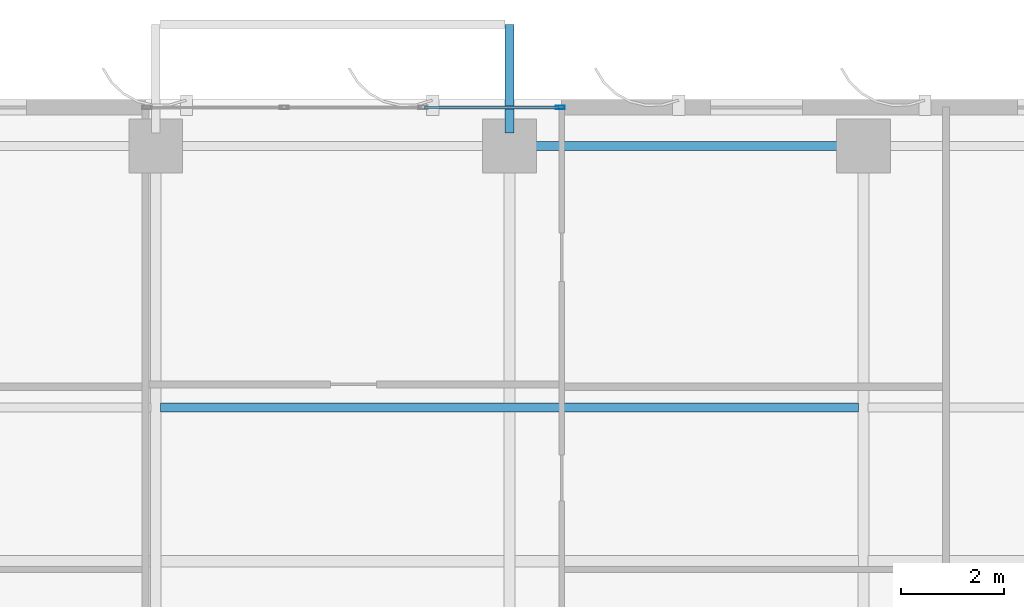
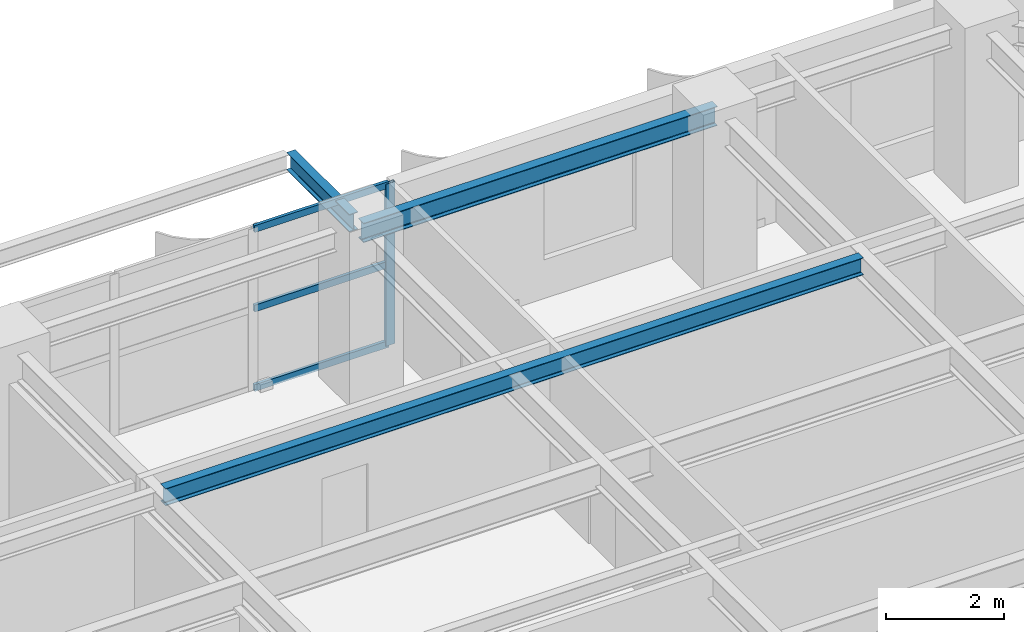
# One storey, part 12 of 23: 4 members, 3 beams, 1 element without a shape of its own.
"""IFC4 building model written with IfcOpenShell, lengths in metres."""

from ifc_helpers import new_model, si_unit, direction, frame, origin, origin_2d, place, context, subcontext, project, spatial, hollow_rectangle, i_section, extrude, source, transform, mapped, material, layer, layer_set, material_profile, profile_set, type_object, element, aggregate, save


model = new_model("IFC4")

# Units and contexts
model_context = context("Model", 3, precision=1e-05, world=origin(), true_north=direction((0.0, 1.0)))
body_context = subcontext(model_context, "Body", "Model", "MODEL_VIEW")
ifc_project = project(units=[si_unit("LENGTHUNIT", "METRE"), si_unit("AREAUNIT", "SQUARE_METRE"), si_unit("VOLUMEUNIT", "CUBIC_METRE"), si_unit("PLANEANGLEUNIT", "RADIAN"), si_unit("MASSUNIT", "GRAM", prefix="KILO")], contexts=[model_context])

# Site, building, storey
site_placement = place(None, origin())
site = spatial("IfcSite", under=ifc_project, at=site_placement, CompositionType="ELEMENT")
building_placement = place(site_placement, origin())
building = spatial("IfcBuilding", under=site, at=building_placement, Name="Khoralis Quay Care Tower", CompositionType="ELEMENT")
storey_placement = place(building_placement, frame((0.0, 0.0, 119.699951171875)))
storey = spatial("IfcBuildingStorey", under=building, at=storey_placement, Name="L31", CompositionType="ELEMENT", Elevation=119.699951171875)

# Beams
ifc_material_1 = material(Name="Steel S355", Category="steel")
ifc_material_profile_1 = material_profile(ifc_material_1, i_section(OverallWidth=0.179931640625, OverallDepth=0.39990234375, WebThickness=0.008544921875, FlangeThickness=0.013427734375, FilletRadius=0.02099609375, at=origin_2d()), Name="Steel S355")
ifc_profile_set_1 = profile_set([ifc_material_profile_1], Name="Steel S355")
beam_type_1 = type_object("IfcBeamType", Name="BM-IPE400", PredefinedType="SPANDREL", material=ifc_profile_set_1)
shared_shape_1 = source(origin(), body_context, "Body", "SweptSolid", [
    extrude(i_section(OverallWidth=0.179931640625, OverallDepth=0.39990234375, WebThickness=0.008544921875, FlangeThickness=0.013427734375, FilletRadius=0.02099609375, at=origin_2d()), origin(), (0.0, 0.0, 1.0), 6.89990234375),
])
beam_1_placement = place(storey_placement, frame((24.0, 44.10009765625, 3.14013671875), z_axis=(1.0, 0.0, 0.0), x_axis=(0.0, 1.0, 0.0)))
element("IfcBeam", 1, at=beam_1_placement, inside=storey, type_object=beam_type_1, Name="BM-TSP-L31-09", PredefinedType="SPANDREL", context=body_context, shape_type="MappedRepresentation", body=[
    mapped(shared_shape_1, transform((0.0, 0.0, 0.0), scale=1.0)),
])
ifc_material_profile_2 = material_profile(ifc_material_1, i_section(OverallWidth=0.1708984375, OverallDepth=0.35498046875, WebThickness=0.007080078125, FlangeThickness=0.01171875, FilletRadius=0.012939453125, at=origin_2d()), Name="Steel S355")
ifc_profile_set_2 = profile_set([ifc_material_profile_2], Name="Steel S355")
beam_type_2 = type_object("IfcBeamType", Name="BM-W360X51", PredefinedType="JOIST", material=ifc_profile_set_2)
shared_shape_2 = source(origin(), body_context, "Body", "SweptSolid", [
    extrude(i_section(OverallWidth=0.1708984375, OverallDepth=0.35498046875, WebThickness=0.007080078125, FlangeThickness=0.01171875, FilletRadius=0.012939453125, at=origin_2d()), origin(), (0.0, 0.0, 1.0), 13.61181640625),
])
beam_2_placement = place(storey_placement, frame((17.194091796875, 39.0, 3.16259765625), z_axis=(1.0, 0.0, 0.0), x_axis=(0.0, 1.0, 0.0)))
element("IfcBeam", 2, at=beam_2_placement, inside=storey, type_object=beam_type_2, Name="BM-TJS-L31-33", PredefinedType="JOIST", context=body_context, shape_type="MappedRepresentation", body=[
    mapped(shared_shape_2, transform((0.0, 0.0, 0.0), scale=1.0)),
])
ifc_material_profile_3 = material_profile(ifc_material_1, i_section(OverallWidth=0.169921875, OverallDepth=0.360107421875, WebThickness=0.008056640625, FlangeThickness=0.0126953125, FilletRadius=0.01806640625, at=origin_2d()), Name="Steel S355")
ifc_profile_set_3 = profile_set([ifc_material_profile_3], Name="Steel S355")
beam_type_3 = type_object("IfcBeamType", Name="BM-IPE360", PredefinedType="SPANDREL", material=ifc_profile_set_3)
shared_shape_3 = source(origin(), body_context, "Body", "SweptSolid", [
    extrude(i_section(OverallWidth=0.169921875, OverallDepth=0.360107421875, WebThickness=0.008056640625, FlangeThickness=0.0126953125, FilletRadius=0.01806640625, at=origin_2d()), origin(), (0.0, 0.0, 1.0), 2.119873046875),
])
beam_3_placement = place(storey_placement, frame((24.0, 44.35009765625, 3.1640625), z_axis=(0.0, 1.0, 0.0), x_axis=(-1.0, 0.0, 0.0)))
element("IfcBeam", 3, at=beam_3_placement, inside=storey, type_object=beam_type_3, Name="L32 Balcony Cantilever Outrigger Beam 2", PredefinedType="SPANDREL", context=body_context, shape_type="MappedRepresentation", body=[
    mapped(shared_shape_3, transform((0.0, 0.0, 0.0), scale=1.0)),
])

# Curtain wall, members
ifc_material_2 = material(Name="Pale anodised aluminium", Category="aluminium")
ifc_layer = layer(ifc_material_2, 0.169921875)
ifc_layer_set = layer_set([ifc_layer], Name="Pale anodised aluminium")
curtain_wall_type = type_object("IfcCurtainWallType", Name="CW-SYS-Z2", PredefinedType="NOTDEFINED", material=ifc_layer_set)
curtain_wall_placement = place(storey_placement, origin())
curtain_wall = element("IfcCurtainWall", 4, at=curtain_wall_placement, inside=storey, type_object=curtain_wall_type, Name="L31 Unitised Curtain Wall CW-L31-P1-E10", PredefinedType="NOTDEFINED")
ifc_material_profile_4 = material_profile(ifc_material_2, hollow_rectangle(XDim=0.06494140625, YDim=0.179931640625, WallThickness=0.00390625, at=origin_2d()), Name="Pale anodised aluminium")
ifc_profile_set_4 = profile_set([ifc_material_profile_4], Name="Pale anodised aluminium")
member_type_1 = type_object("IfcMemberType", Name="CW-MUL-180", PredefinedType="MULLION", material=ifc_profile_set_4)
shared_shape_4 = source(origin(), body_context, "Body", "SweptSolid", [
    extrude(hollow_rectangle(XDim=0.06494140625, YDim=0.179931640625, WallThickness=0.00390625, at=origin_2d()), origin(), (0.0, 0.0, 1.0), 3.340087890625),
])
member_1_placement = place(storey_placement, frame((24.987060546875, 44.85009765625, 0.0), z_axis=(0.0, 0.0, 1.0), x_axis=(0.0, -1.0, 0.0)))
member_1 = element("IfcMember", 5, at=member_1_placement, type_object=member_type_1, Name="CW2 mullion 1", PredefinedType="MULLION", context=body_context, shape_type="MappedRepresentation", body=[
    mapped(shared_shape_4, transform((0.0, 0.0, 0.0), scale=1.0)),
])
ifc_material_profile_5 = material_profile(ifc_material_2, hollow_rectangle(XDim=0.06005859375, YDim=0.139892578125, WallThickness=0.00390625, at=origin_2d()), Name="Pale anodised aluminium")
ifc_profile_set_5 = profile_set([ifc_material_profile_5], Name="Pale anodised aluminium")
member_type_2 = type_object("IfcMemberType", Name="CW-TRN-140", PredefinedType="USERDEFINED", material=ifc_profile_set_5)
shared_shape_5 = source(origin(), body_context, "Body", "SweptSolid", [
    extrude(hollow_rectangle(XDim=0.06005859375, YDim=0.139892578125, WallThickness=0.00390625, at=origin_2d()), origin(), (0.0, 0.0, 1.0), 2.61572265625),
])
member_2_placement = place(storey_placement, frame((24.95703125, 44.85009765625, 0.030029296875), z_axis=(-1.0, 0.0, 0.0), x_axis=(0.0, -1.0, 0.0)))
member_2 = element("IfcMember", 6, at=member_2_placement, type_object=member_type_2, Name="CW2 transom 1.1", ObjectType="TRANSOM", PredefinedType="USERDEFINED", context=body_context, shape_type="MappedRepresentation", body=[
    mapped(shared_shape_5, transform((0.0, 0.0, 0.0), scale=1.0)),
])
member_3_placement = place(storey_placement, frame((24.95703125, 44.85009765625, 1.670166015625), z_axis=(-1.0, 0.0, 0.0), x_axis=(0.0, -1.0, 0.0)))
member_3 = element("IfcMember", 7, at=member_3_placement, type_object=member_type_2, Name="CW2 transom 1.2", ObjectType="TRANSOM", PredefinedType="USERDEFINED", context=body_context, shape_type="MappedRepresentation", body=[
    mapped(shared_shape_5, transform((0.0, 0.0, 0.0), scale=1.0)),
])
member_4_placement = place(storey_placement, frame((24.95703125, 44.85009765625, 3.31005859375), z_axis=(-1.0, 0.0, 0.0), x_axis=(0.0, -1.0, 0.0)))
member_4 = element("IfcMember", 8, at=member_4_placement, type_object=member_type_2, Name="CW2 transom 1.3", ObjectType="TRANSOM", PredefinedType="USERDEFINED", context=body_context, shape_type="MappedRepresentation", body=[
    mapped(shared_shape_5, transform((0.0, 0.0, 0.0), scale=1.0)),
])
aggregate(curtain_wall, [member_1, member_2, member_3, member_4])

save(model, "model.ifc")
